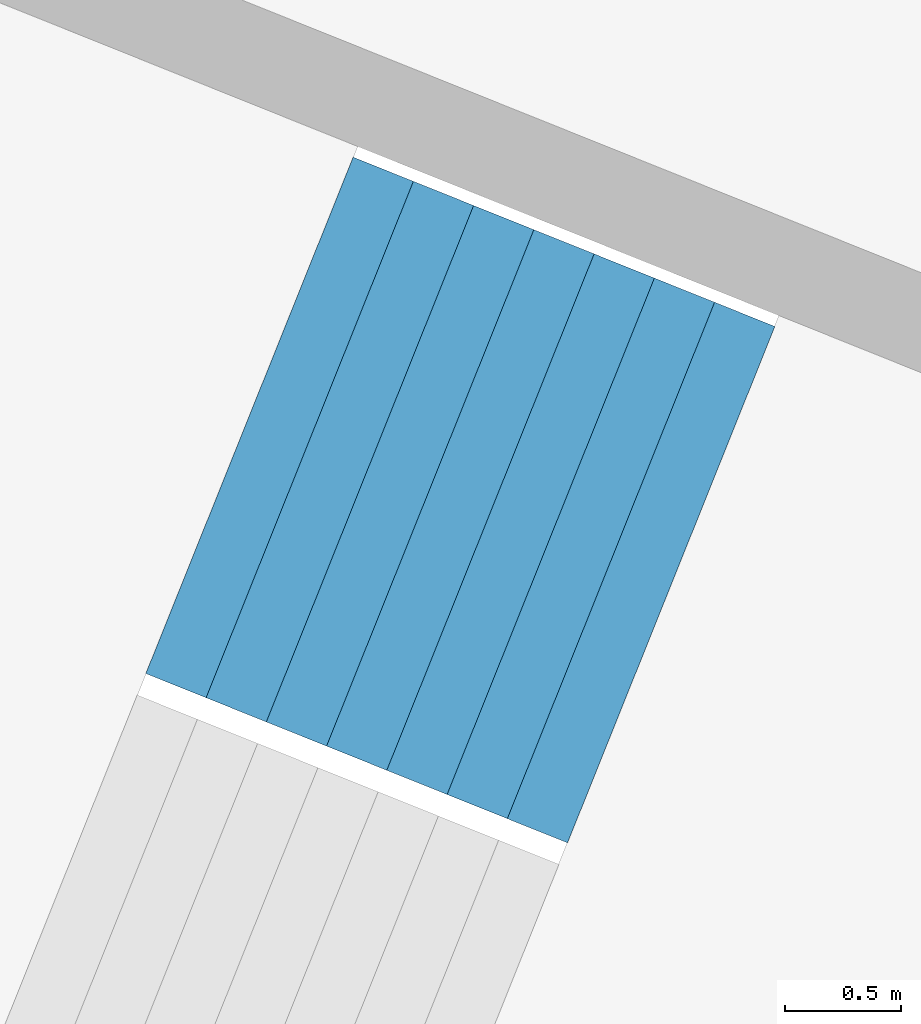
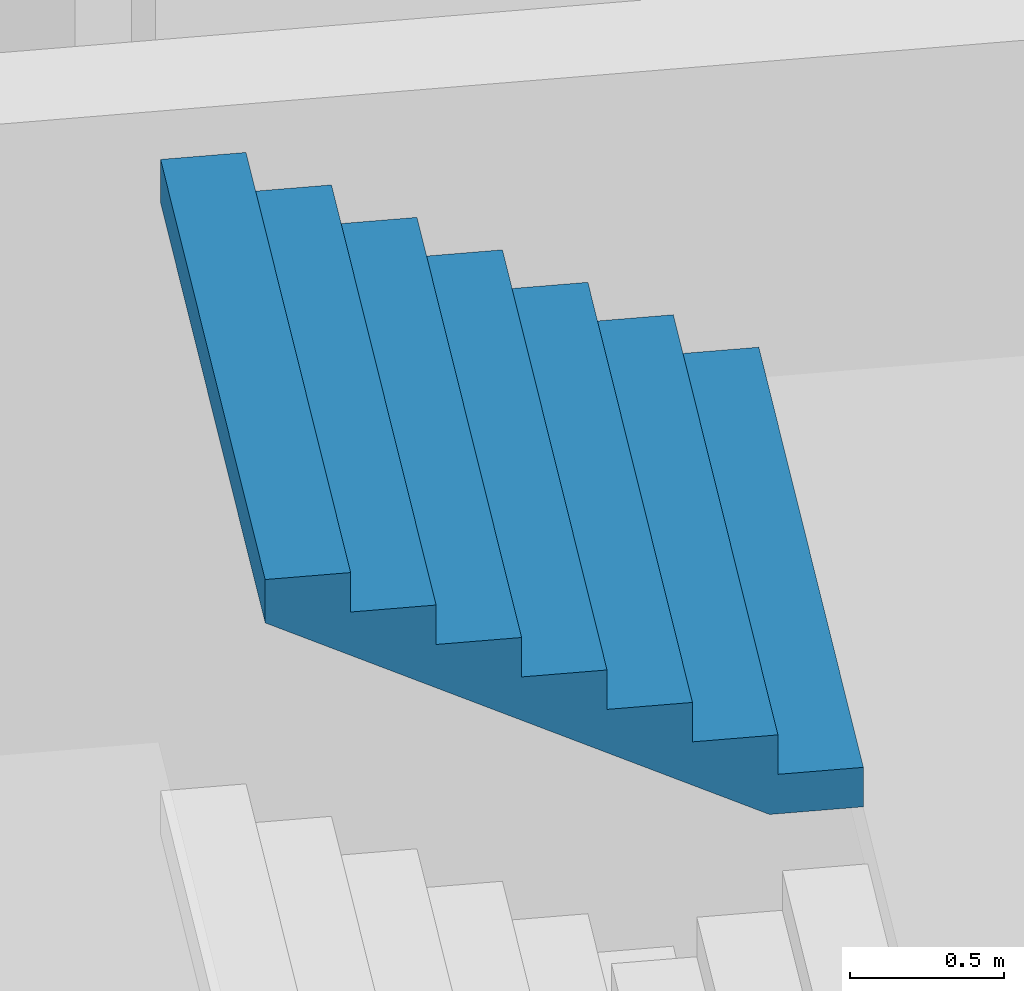
# One storey, part 52 of 73: 1 stair flight, 1 element without a shape of its own.
"""IFC4 building model written with IfcOpenShell, lengths in metres."""

from ifc_helpers import new_model, si_unit, direction, frame, origin, place, context, subcontext, project, spatial, triangles, material, type_object, element, aggregate, save


model = new_model("IFC4")

# Units and contexts
model_context = context("Model", 3, precision=1e-05, world=origin(), true_north=direction((0.0, 1.0)))
body_context = subcontext(model_context, "Body", "Model", "MODEL_VIEW")
ifc_project = project(units=[si_unit("LENGTHUNIT", "METRE"), si_unit("AREAUNIT", "SQUARE_METRE"), si_unit("VOLUMEUNIT", "CUBIC_METRE"), si_unit("PLANEANGLEUNIT", "RADIAN"), si_unit("MASSUNIT", "GRAM", prefix="KILO")], contexts=[model_context])

# Site, building, storey
site_placement = place(None, origin())
site = spatial("IfcSite", under=ifc_project, at=site_placement, CompositionType="ELEMENT")
building_placement = place(site_placement, origin())
building = spatial("IfcBuilding", under=site, at=building_placement, Name="Lantaw Convention Tower", CompositionType="ELEMENT")
storey_placement = place(building_placement, frame((0.0, 0.0, 27.0)))
storey = spatial("IfcBuildingStorey", under=building, at=storey_placement, Name="L04", CompositionType="ELEMENT", Elevation=27.0)

# Stair, stair flight
ifc_material = material(Name="Concrete C35/45", Category="concrete")
stair_type = type_object("IfcStairType", Name="Exit stair 2400 riser 156.25 in 4 flights", PredefinedType="HALF_TURN_STAIR", material=ifc_material)
stair_placement = place(storey_placement, origin())
stair = element("IfcStair", 1, at=stair_placement, inside=storey, type_object=stair_type, Name="Podium exit stair P12 L04", PredefinedType="HALF_TURN_STAIR")
stair_flight_type = type_object("IfcStairFlightType", Name="Stair flight 2400 riser 156.25", PredefinedType="STRAIGHT", material=ifc_material)
stair_flight_placement = place(storey_placement, frame((31.836669921875, -11.43359375, 3.75), z_axis=(0.0, 0.0, 1.0), x_axis=(-0.928015818512, 0.372540790506, 0.0)))
stair_flight = element("IfcStairFlight", 2, at=stair_flight_placement, type_object=stair_flight_type, Name="P12 flight 4", NumberOfRisers=8, NumberOfTreads=7, PredefinedType="STRAIGHT", RiserHeight=0.15625, TreadLength=0.28, context=body_context, shape_type="Tessellation", body=[
    triangles([(0.0, 1.199951171875, 0.0), (0.0, 1.199951171875, 0.15625), (0.28, 1.199951171875, 0.0), (0.28, 1.199951171875, 0.15625), (0.28, 1.199951171875, 0.3125), (0.3076200632058044, 1.199951171875, 0.0), (0.3076200632058044, 1.199951171875, 0.3125), (0.56, 1.199951171875, 0.14083701830033238), (0.56, 1.199951171875, 0.3125), (0.56, 1.199951171875, 0.46875), (0.8400000000000001, 1.199951171875, 0.29708701830033235), (0.8400000000000001, 1.199951171875, 0.46875), (0.8400000000000001, 1.199951171875, 0.625), (1.12, 1.199951171875, 0.45333701830033235), (1.12, 1.199951171875, 0.625), (1.12, 1.199951171875, 0.78125), (1.4000000000000001, 1.199951171875, 0.6095870183003324), (1.4000000000000001, 1.199951171875, 0.78125), (1.4000000000000001, 1.199951171875, 0.9375), (1.6800000000000002, 1.199951171875, 0.7658370183003324), (1.6800000000000002, 1.199951171875, 0.9375), (1.6800000000000002, 1.199951171875, 1.09375), (1.9600000000000002, 1.199951171875, 0.9220870183003324), (1.9600000000000002, 1.199951171875, 1.09375), (0.0, -1.199951171875, 0.0), (0.0, -1.199951171875, 0.15625), (0.28, -1.199951171875, 0.0), (0.28, -1.199951171875, 0.15625), (0.28, -1.199951171875, 0.3125), (0.3076200632058044, -1.199951171875, 0.0), (0.3076200632058044, -1.199951171875, 0.3125), (0.56, -1.199951171875, 0.14083701830033238), (0.56, -1.199951171875, 0.3125), (0.56, -1.199951171875, 0.46875), (0.8400000000000001, -1.199951171875, 0.29708701830033235), (0.8400000000000001, -1.199951171875, 0.46875), (0.8400000000000001, -1.199951171875, 0.625), (1.12, -1.199951171875, 0.45333701830033235), (1.12, -1.199951171875, 0.625), (1.12, -1.199951171875, 0.78125), (1.4000000000000001, -1.199951171875, 0.6095870183003324), (1.4000000000000001, -1.199951171875, 0.78125), (1.4000000000000001, -1.199951171875, 0.9375), (1.6800000000000002, -1.199951171875, 0.7658370183003324), (1.6800000000000002, -1.199951171875, 0.9375), (1.6800000000000002, -1.199951171875, 1.09375), (1.9600000000000002, -1.199951171875, 0.9220870183003324), (1.9600000000000002, -1.199951171875, 1.09375), (0.0, 0.239990234375, 0.15625), (0.0, 0.239990234375, 0.0), (0.0, 0.1919921875, 0.15625), (0.0, 0.1919921875, 0.0), (0.0, 0.143994140625, 0.15625), (0.0, 0.143994140625, 0.0), (0.0, 0.09599609375, 0.15625), (0.0, 0.09599609375, 0.0), (0.0, 0.047998046875, 0.15625), (0.0, 0.047998046875, 0.0), (0.0, 0.0, 0.15625), (0.0, 0.0, 0.0), (0.0, -0.047998046875, 0.15625), (0.0, -0.047998046875, 0.0), (0.0, -0.09599609375, 0.15625), (0.0, -0.09599609375, 0.0), (0.0, -0.143994140625, 0.15625), (0.0, -0.143994140625, 0.0), (0.0, -0.1919921875, 0.15625), (0.0, -0.1919921875, 0.0), (0.0, -0.239990234375, 0.15625), (0.0, -0.239990234375, 0.0), (0.28, 0.239990234375, 0.3125), (0.28, 0.239990234375, 0.15625), (0.28, 0.1919921875, 0.3125), (0.28, 0.1919921875, 0.15625), (0.28, 0.143994140625, 0.3125), (0.28, 0.143994140625, 0.15625), (0.28, 0.09599609375, 0.3125), (0.28, 0.09599609375, 0.15625), (0.28, 0.047998046875, 0.3125), (0.28, 0.047998046875, 0.15625), (0.28, 0.0, 0.3125), (0.28, 0.0, 0.15625), (0.28, -0.047998046875, 0.3125), (0.28, -0.047998046875, 0.15625), (0.28, -0.09599609375, 0.3125), (0.28, -0.09599609375, 0.15625), (0.28, -0.143994140625, 0.3125), (0.28, -0.143994140625, 0.15625), (0.28, -0.1919921875, 0.3125), (0.28, -0.1919921875, 0.15625), (0.28, -0.239990234375, 0.3125), (0.28, -0.239990234375, 0.15625), (0.56, 0.239990234375, 0.46875), (0.56, 0.239990234375, 0.3125), (0.56, 0.1919921875, 0.46875), (0.56, 0.1919921875, 0.3125), (0.56, 0.143994140625, 0.46875), (0.56, 0.143994140625, 0.3125), (0.56, 0.09599609375, 0.46875), (0.56, 0.09599609375, 0.3125), (0.56, 0.047998046875, 0.46875), (0.56, 0.047998046875, 0.3125), (0.56, 0.0, 0.46875), (0.56, 0.0, 0.3125), (0.56, -0.047998046875, 0.46875), (0.56, -0.047998046875, 0.3125), (0.56, -0.09599609375, 0.46875), (0.56, -0.09599609375, 0.3125), (0.56, -0.143994140625, 0.46875), (0.56, -0.143994140625, 0.3125), (0.56, -0.1919921875, 0.46875), (0.56, -0.1919921875, 0.3125), (0.56, -0.239990234375, 0.46875), (0.56, -0.239990234375, 0.3125), (0.8400000000000001, 0.239990234375, 0.625), (0.8400000000000001, 0.239990234375, 0.46875), (0.8400000000000001, 0.1919921875, 0.625), (0.8400000000000001, 0.1919921875, 0.46875), (0.8400000000000001, 0.143994140625, 0.625), (0.8400000000000001, 0.143994140625, 0.46875), (0.8400000000000001, 0.09599609375, 0.625), (0.8400000000000001, 0.09599609375, 0.46875), (0.8400000000000001, 0.047998046875, 0.625), (0.8400000000000001, 0.047998046875, 0.46875), (0.8400000000000001, 0.0, 0.625), (0.8400000000000001, 0.0, 0.46875), (0.8400000000000001, -0.047998046875, 0.625), (0.8400000000000001, -0.047998046875, 0.46875), (0.8400000000000001, -0.09599609375, 0.625), (0.8400000000000001, -0.09599609375, 0.46875), (0.8400000000000001, -0.143994140625, 0.625), (0.8400000000000001, -0.143994140625, 0.46875), (0.8400000000000001, -0.1919921875, 0.625), (0.8400000000000001, -0.1919921875, 0.46875), (0.8400000000000001, -0.239990234375, 0.625), (0.8400000000000001, -0.239990234375, 0.46875), (1.12, 0.239990234375, 0.78125), (1.12, 0.239990234375, 0.625), (1.12, 0.1919921875, 0.78125), (1.12, 0.1919921875, 0.625), (1.12, 0.143994140625, 0.78125), (1.12, 0.143994140625, 0.625), (1.12, 0.09599609375, 0.78125), (1.12, 0.09599609375, 0.625), (1.12, 0.047998046875, 0.78125), (1.12, 0.047998046875, 0.625), (1.12, 0.0, 0.78125), (1.12, 0.0, 0.625), (1.12, -0.047998046875, 0.78125), (1.12, -0.047998046875, 0.625), (1.12, -0.09599609375, 0.78125), (1.12, -0.09599609375, 0.625), (1.12, -0.143994140625, 0.78125), (1.12, -0.143994140625, 0.625), (1.12, -0.1919921875, 0.78125), (1.12, -0.1919921875, 0.625), (1.12, -0.239990234375, 0.78125), (1.12, -0.239990234375, 0.625), (1.4000000000000001, 0.239990234375, 0.9375), (1.4000000000000001, 0.239990234375, 0.78125), (1.4000000000000001, 0.1919921875, 0.9375), (1.4000000000000001, 0.1919921875, 0.78125), (1.4000000000000001, 0.143994140625, 0.9375), (1.4000000000000001, 0.143994140625, 0.78125), (1.4000000000000001, 0.09599609375, 0.9375), (1.4000000000000001, 0.09599609375, 0.78125), (1.4000000000000001, 0.047998046875, 0.9375), (1.4000000000000001, 0.047998046875, 0.78125), (1.4000000000000001, 0.0, 0.9375), (1.4000000000000001, 0.0, 0.78125), (1.4000000000000001, -0.047998046875, 0.9375), (1.4000000000000001, -0.047998046875, 0.78125), (1.4000000000000001, -0.09599609375, 0.9375), (1.4000000000000001, -0.09599609375, 0.78125), (1.4000000000000001, -0.143994140625, 0.9375), (1.4000000000000001, -0.143994140625, 0.78125), (1.4000000000000001, -0.1919921875, 0.9375), (1.4000000000000001, -0.1919921875, 0.78125), (1.4000000000000001, -0.239990234375, 0.9375), (1.4000000000000001, -0.239990234375, 0.78125), (1.6800000000000002, 0.239990234375, 1.09375), (1.6800000000000002, 0.239990234375, 0.9375), (1.6800000000000002, 0.1919921875, 1.09375), (1.6800000000000002, 0.1919921875, 0.9375), (1.6800000000000002, 0.143994140625, 1.09375), (1.6800000000000002, 0.143994140625, 0.9375), (1.6800000000000002, 0.09599609375, 1.09375), (1.6800000000000002, 0.09599609375, 0.9375), (1.6800000000000002, 0.047998046875, 1.09375), (1.6800000000000002, 0.047998046875, 0.9375), (1.6800000000000002, 0.0, 1.09375), (1.6800000000000002, 0.0, 0.9375), (1.6800000000000002, -0.047998046875, 1.09375), (1.6800000000000002, -0.047998046875, 0.9375), (1.6800000000000002, -0.09599609375, 1.09375), (1.6800000000000002, -0.09599609375, 0.9375), (1.6800000000000002, -0.143994140625, 1.09375), (1.6800000000000002, -0.143994140625, 0.9375), (1.6800000000000002, -0.1919921875, 1.09375), (1.6800000000000002, -0.1919921875, 0.9375), (1.6800000000000002, -0.239990234375, 1.09375), (1.6800000000000002, -0.239990234375, 0.9375), (0.3076200632058044, 0.239990234375, 0.3125), (0.3076200632058044, 0.1919921875, 0.3125), (0.3076200632058044, 0.143994140625, 0.3125), (0.3076200632058044, 0.09599609375, 0.3125), (0.3076200632058044, 0.047998046875, 0.3125), (0.3076200632058044, 0.0, 0.3125), (0.3076200632058044, -0.047998046875, 0.3125), (0.3076200632058044, -0.09599609375, 0.3125), (0.3076200632058044, -0.143994140625, 0.3125), (0.3076200632058044, -0.1919921875, 0.3125), (0.3076200632058044, -0.239990234375, 0.3125), (1.9600000000000002, 0.239990234375, 1.09375), (1.9600000000000002, 0.1919921875, 1.09375), (1.9600000000000002, 0.143994140625, 1.09375), (1.9600000000000002, 0.09599609375, 1.09375), (1.9600000000000002, 0.047998046875, 1.09375), (1.9600000000000002, 0.0, 1.09375), (1.9600000000000002, -0.047998046875, 1.09375), (1.9600000000000002, -0.09599609375, 1.09375), (1.9600000000000002, -0.143994140625, 1.09375), (1.9600000000000002, -0.1919921875, 1.09375), (1.9600000000000002, -0.239990234375, 1.09375), (1.9600000000000002, 0.239990234375, 0.9220870183003324), (1.9600000000000002, 0.1919921875, 0.9220870183003324), (1.9600000000000002, 0.143994140625, 0.9220870183003324), (1.9600000000000002, 0.09599609375, 0.9220870183003324), (1.9600000000000002, 0.047998046875, 0.9220870183003324), (1.9600000000000002, 0.0, 0.9220870183003324), (1.9600000000000002, -0.047998046875, 0.9220870183003324), (1.9600000000000002, -0.09599609375, 0.9220870183003324), (1.9600000000000002, -0.143994140625, 0.9220870183003324), (1.9600000000000002, -0.1919921875, 0.9220870183003324), (1.9600000000000002, -0.239990234375, 0.9220870183003324), (1.6800000000000002, 0.239990234375, 0.7658370183003324), (1.6800000000000002, 0.1919921875, 0.7658370183003324), (1.6800000000000002, 0.143994140625, 0.7658370183003324), (1.6800000000000002, 0.09599609375, 0.7658370183003324), (1.6800000000000002, 0.047998046875, 0.7658370183003324), (1.6800000000000002, 0.0, 0.7658370183003324), (1.6800000000000002, -0.047998046875, 0.7658370183003324), (1.6800000000000002, -0.09599609375, 0.7658370183003324), (1.6800000000000002, -0.143994140625, 0.7658370183003324), (1.6800000000000002, -0.1919921875, 0.7658370183003324), (1.6800000000000002, -0.239990234375, 0.7658370183003324), (1.4000000000000001, 0.239990234375, 0.6095870183003324), (1.4000000000000001, 0.1919921875, 0.6095870183003324), (1.4000000000000001, 0.143994140625, 0.6095870183003324), (1.4000000000000001, 0.09599609375, 0.6095870183003324), (1.4000000000000001, 0.047998046875, 0.6095870183003324), (1.4000000000000001, 0.0, 0.6095870183003324), (1.4000000000000001, -0.047998046875, 0.6095870183003324), (1.4000000000000001, -0.09599609375, 0.6095870183003324), (1.4000000000000001, -0.143994140625, 0.6095870183003324), (1.4000000000000001, -0.1919921875, 0.6095870183003324), (1.4000000000000001, -0.239990234375, 0.6095870183003324), (1.12, 0.239990234375, 0.45333701830033235), (1.12, 0.1919921875, 0.45333701830033235), (1.12, 0.143994140625, 0.45333701830033235), (1.12, 0.09599609375, 0.45333701830033235), (1.12, 0.047998046875, 0.45333701830033235), (1.12, 0.0, 0.45333701830033235), (1.12, -0.047998046875, 0.45333701830033235), (1.12, -0.09599609375, 0.45333701830033235), (1.12, -0.143994140625, 0.45333701830033235), (1.12, -0.1919921875, 0.45333701830033235), (1.12, -0.239990234375, 0.45333701830033235), (0.8400000000000001, 0.239990234375, 0.29708701830033235), (0.8400000000000001, 0.1919921875, 0.29708701830033235), (0.8400000000000001, 0.143994140625, 0.29708701830033235), (0.8400000000000001, 0.09599609375, 0.29708701830033235), (0.8400000000000001, 0.047998046875, 0.29708701830033235), (0.8400000000000001, 0.0, 0.29708701830033235), (0.8400000000000001, -0.047998046875, 0.29708701830033235), (0.8400000000000001, -0.09599609375, 0.29708701830033235), (0.8400000000000001, -0.143994140625, 0.29708701830033235), (0.8400000000000001, -0.1919921875, 0.29708701830033235), (0.8400000000000001, -0.239990234375, 0.29708701830033235), (0.56, 0.239990234375, 0.14083701830033238), (0.56, 0.1919921875, 0.14083701830033238), (0.56, 0.143994140625, 0.14083701830033238), (0.56, 0.09599609375, 0.14083701830033238), (0.56, 0.047998046875, 0.14083701830033238), (0.56, 0.0, 0.14083701830033238), (0.56, -0.047998046875, 0.14083701830033238), (0.56, -0.09599609375, 0.14083701830033238), (0.56, -0.143994140625, 0.14083701830033238), (0.56, -0.1919921875, 0.14083701830033238), (0.56, -0.239990234375, 0.14083701830033238), (0.3076200632058044, 0.239990234375, 0.0), (0.3076200632058044, 0.1919921875, 0.0), (0.3076200632058044, 0.143994140625, 0.0), (0.3076200632058044, 0.09599609375, 0.0), (0.3076200632058044, 0.047998046875, 0.0), (0.3076200632058044, 0.0, 0.0), (0.3076200632058044, -0.047998046875, 0.0), (0.3076200632058044, -0.09599609375, 0.0), (0.3076200632058044, -0.143994140625, 0.0), (0.3076200632058044, -0.1919921875, 0.0), (0.3076200632058044, -0.239990234375, 0.0), (0.28, 0.239990234375, 0.0), (0.28, 0.1919921875, 0.0), (0.28, 0.143994140625, 0.0), (0.28, 0.09599609375, 0.0), (0.28, 0.047998046875, 0.0), (0.28, 0.0, 0.0), (0.28, -0.047998046875, 0.0), (0.28, -0.09599609375, 0.0), (0.28, -0.143994140625, 0.0), (0.28, -0.1919921875, 0.0), (0.28, -0.239990234375, 0.0)], [[1, 4, 3], [1, 2, 4], [3, 4, 6], [4, 7, 6], [4, 5, 7], [6, 9, 8], [6, 7, 9], [8, 9, 11], [9, 12, 11], [9, 10, 12], [11, 12, 14], [12, 15, 14], [12, 13, 15], [14, 15, 17], [15, 18, 17], [15, 16, 18], [17, 18, 20], [18, 21, 20], [18, 19, 21], [20, 21, 23], [21, 24, 23], [21, 22, 24], [25, 27, 28], [25, 28, 26], [27, 30, 28], [28, 30, 31], [28, 31, 29], [30, 32, 33], [30, 33, 31], [32, 35, 33], [33, 35, 36], [33, 36, 34], [35, 38, 36], [36, 38, 39], [36, 39, 37], [38, 41, 39], [39, 41, 42], [39, 42, 40], [41, 44, 42], [42, 44, 45], [42, 45, 43], [44, 47, 45], [45, 47, 48], [45, 48, 46], [1, 49, 2], [1, 50, 49], [50, 51, 49], [50, 52, 51], [52, 53, 51], [52, 54, 53], [54, 55, 53], [54, 56, 55], [56, 57, 55], [56, 58, 57], [58, 59, 57], [58, 60, 59], [60, 61, 59], [60, 62, 61], [62, 63, 61], [62, 64, 63], [64, 65, 63], [64, 66, 65], [66, 67, 65], [66, 68, 67], [68, 69, 67], [68, 70, 69], [70, 26, 69], [70, 25, 26], [4, 71, 5], [4, 72, 71], [72, 73, 71], [72, 74, 73], [74, 75, 73], [74, 76, 75], [76, 77, 75], [76, 78, 77], [78, 79, 77], [78, 80, 79], [80, 81, 79], [80, 82, 81], [82, 83, 81], [82, 84, 83], [84, 85, 83], [84, 86, 85], [86, 87, 85], [86, 88, 87], [88, 89, 87], [88, 90, 89], [90, 91, 89], [90, 92, 91], [92, 29, 91], [92, 28, 29], [9, 93, 10], [9, 94, 93], [94, 95, 93], [94, 96, 95], [96, 97, 95], [96, 98, 97], [98, 99, 97], [98, 100, 99], [100, 101, 99], [100, 102, 101], [102, 103, 101], [102, 104, 103], [104, 105, 103], [104, 106, 105], [106, 107, 105], [106, 108, 107], [108, 109, 107], [108, 110, 109], [110, 111, 109], [110, 112, 111], [112, 113, 111], [112, 114, 113], [114, 34, 113], [114, 33, 34], [12, 115, 13], [12, 116, 115], [116, 117, 115], [116, 118, 117], [118, 119, 117], [118, 120, 119], [120, 121, 119], [120, 122, 121], [122, 123, 121], [122, 124, 123], [124, 125, 123], [124, 126, 125], [126, 127, 125], [126, 128, 127], [128, 129, 127], [128, 130, 129], [130, 131, 129], [130, 132, 131], [132, 133, 131], [132, 134, 133], [134, 135, 133], [134, 136, 135], [136, 37, 135], [136, 36, 37], [15, 137, 16], [15, 138, 137], [138, 139, 137], [138, 140, 139], [140, 141, 139], [140, 142, 141], [142, 143, 141], [142, 144, 143], [144, 145, 143], [144, 146, 145], [146, 147, 145], [146, 148, 147], [148, 149, 147], [148, 150, 149], [150, 151, 149], [150, 152, 151], [152, 153, 151], [152, 154, 153], [154, 155, 153], [154, 156, 155], [156, 157, 155], [156, 158, 157], [158, 40, 157], [158, 39, 40], [18, 159, 19], [18, 160, 159], [160, 161, 159], [160, 162, 161], [162, 163, 161], [162, 164, 163], [164, 165, 163], [164, 166, 165], [166, 167, 165], [166, 168, 167], [168, 169, 167], [168, 170, 169], [170, 171, 169], [170, 172, 171], [172, 173, 171], [172, 174, 173], [174, 175, 173], [174, 176, 175], [176, 177, 175], [176, 178, 177], [178, 179, 177], [178, 180, 179], [180, 43, 179], [180, 42, 43], [21, 181, 22], [21, 182, 181], [182, 183, 181], [182, 184, 183], [184, 185, 183], [184, 186, 185], [186, 187, 185], [186, 188, 187], [188, 189, 187], [188, 190, 189], [190, 191, 189], [190, 192, 191], [192, 193, 191], [192, 194, 193], [194, 195, 193], [194, 196, 195], [196, 197, 195], [196, 198, 197], [198, 199, 197], [198, 200, 199], [200, 201, 199], [200, 202, 201], [202, 46, 201], [202, 45, 46], [2, 72, 4], [2, 49, 72], [49, 74, 72], [49, 51, 74], [51, 76, 74], [51, 53, 76], [53, 78, 76], [53, 55, 78], [55, 80, 78], [55, 57, 80], [57, 82, 80], [57, 59, 82], [59, 84, 82], [59, 61, 84], [61, 86, 84], [61, 63, 86], [63, 88, 86], [63, 65, 88], [65, 90, 88], [65, 67, 90], [67, 92, 90], [67, 69, 92], [69, 28, 92], [69, 26, 28], [5, 203, 7], [5, 71, 203], [71, 204, 203], [71, 73, 204], [73, 205, 204], [73, 75, 205], [75, 206, 205], [75, 77, 206], [77, 207, 206], [77, 79, 207], [79, 208, 207], [79, 81, 208], [81, 209, 208], [81, 83, 209], [83, 210, 209], [83, 85, 210], [85, 211, 210], [85, 87, 211], [87, 212, 211], [87, 89, 212], [89, 213, 212], [89, 91, 213], [91, 31, 213], [91, 29, 31], [7, 94, 9], [7, 203, 94], [203, 96, 94], [203, 204, 96], [204, 98, 96], [204, 205, 98], [205, 100, 98], [205, 206, 100], [206, 102, 100], [206, 207, 102], [207, 104, 102], [207, 208, 104], [208, 106, 104], [208, 209, 106], [209, 108, 106], [209, 210, 108], [210, 110, 108], [210, 211, 110], [211, 112, 110], [211, 212, 112], [212, 114, 112], [212, 213, 114], [213, 33, 114], [213, 31, 33], [10, 116, 12], [10, 93, 116], [93, 118, 116], [93, 95, 118], [95, 120, 118], [95, 97, 120], [97, 122, 120], [97, 99, 122], [99, 124, 122], [99, 101, 124], [101, 126, 124], [101, 103, 126], [103, 128, 126], [103, 105, 128], [105, 130, 128], [105, 107, 130], [107, 132, 130], [107, 109, 132], [109, 134, 132], [109, 111, 134], [111, 136, 134], [111, 113, 136], [113, 36, 136], [113, 34, 36], [13, 138, 15], [13, 115, 138], [115, 140, 138], [115, 117, 140], [117, 142, 140], [117, 119, 142], [119, 144, 142], [119, 121, 144], [121, 146, 144], [121, 123, 146], [123, 148, 146], [123, 125, 148], [125, 150, 148], [125, 127, 150], [127, 152, 150], [127, 129, 152], [129, 154, 152], [129, 131, 154], [131, 156, 154], [131, 133, 156], [133, 158, 156], [133, 135, 158], [135, 39, 158], [135, 37, 39], [16, 160, 18], [16, 137, 160], [137, 162, 160], [137, 139, 162], [139, 164, 162], [139, 141, 164], [141, 166, 164], [141, 143, 166], [143, 168, 166], [143, 145, 168], [145, 170, 168], [145, 147, 170], [147, 172, 170], [147, 149, 172], [149, 174, 172], [149, 151, 174], [151, 176, 174], [151, 153, 176], [153, 178, 176], [153, 155, 178], [155, 180, 178], [155, 157, 180], [157, 42, 180], [157, 40, 42], [19, 182, 21], [19, 159, 182], [159, 184, 182], [159, 161, 184], [161, 186, 184], [161, 163, 186], [163, 188, 186], [163, 165, 188], [165, 190, 188], [165, 167, 190], [167, 192, 190], [167, 169, 192], [169, 194, 192], [169, 171, 194], [171, 196, 194], [171, 173, 196], [173, 198, 196], [173, 175, 198], [175, 200, 198], [175, 177, 200], [177, 202, 200], [177, 179, 202], [179, 45, 202], [179, 43, 45], [22, 214, 24], [22, 181, 214], [181, 215, 214], [181, 183, 215], [183, 216, 215], [183, 185, 216], [185, 217, 216], [185, 187, 217], [187, 218, 217], [187, 189, 218], [189, 219, 218], [189, 191, 219], [191, 220, 219], [191, 193, 220], [193, 221, 220], [193, 195, 221], [195, 222, 221], [195, 197, 222], [197, 223, 222], [197, 199, 223], [199, 224, 223], [199, 201, 224], [201, 48, 224], [201, 46, 48], [24, 225, 23], [24, 214, 225], [214, 226, 225], [214, 215, 226], [215, 227, 226], [215, 216, 227], [216, 228, 227], [216, 217, 228], [217, 229, 228], [217, 218, 229], [218, 230, 229], [218, 219, 230], [219, 231, 230], [219, 220, 231], [220, 232, 231], [220, 221, 232], [221, 233, 232], [221, 222, 233], [222, 234, 233], [222, 223, 234], [223, 235, 234], [223, 224, 235], [224, 47, 235], [224, 48, 47], [23, 236, 20], [23, 225, 236], [225, 237, 236], [225, 226, 237], [226, 238, 237], [226, 227, 238], [227, 239, 238], [227, 228, 239], [228, 240, 239], [228, 229, 240], [229, 241, 240], [229, 230, 241], [230, 242, 241], [230, 231, 242], [231, 243, 242], [231, 232, 243], [232, 244, 243], [232, 233, 244], [233, 245, 244], [233, 234, 245], [234, 246, 245], [234, 235, 246], [235, 44, 246], [235, 47, 44], [20, 247, 17], [20, 236, 247], [236, 248, 247], [236, 237, 248], [237, 249, 248], [237, 238, 249], [238, 250, 249], [238, 239, 250], [239, 251, 250], [239, 240, 251], [240, 252, 251], [240, 241, 252], [241, 253, 252], [241, 242, 253], [242, 254, 253], [242, 243, 254], [243, 255, 254], [243, 244, 255], [244, 256, 255], [244, 245, 256], [245, 257, 256], [245, 246, 257], [246, 41, 257], [246, 44, 41], [17, 258, 14], [17, 247, 258], [247, 259, 258], [247, 248, 259], [248, 260, 259], [248, 249, 260], [249, 261, 260], [249, 250, 261], [250, 262, 261], [250, 251, 262], [251, 263, 262], [251, 252, 263], [252, 264, 263], [252, 253, 264], [253, 265, 264], [253, 254, 265], [254, 266, 265], [254, 255, 266], [255, 267, 266], [255, 256, 267], [256, 268, 267], [256, 257, 268], [257, 38, 268], [257, 41, 38], [14, 269, 11], [14, 258, 269], [258, 270, 269], [258, 259, 270], [259, 271, 270], [259, 260, 271], [260, 272, 271], [260, 261, 272], [261, 273, 272], [261, 262, 273], [262, 274, 273], [262, 263, 274], [263, 275, 274], [263, 264, 275], [264, 276, 275], [264, 265, 276], [265, 277, 276], [265, 266, 277], [266, 278, 277], [266, 267, 278], [267, 279, 278], [267, 268, 279], [268, 35, 279], [268, 38, 35], [11, 280, 8], [11, 269, 280], [269, 281, 280], [269, 270, 281], [270, 282, 281], [270, 271, 282], [271, 283, 282], [271, 272, 283], [272, 284, 283], [272, 273, 284], [273, 285, 284], [273, 274, 285], [274, 286, 285], [274, 275, 286], [275, 287, 286], [275, 276, 287], [276, 288, 287], [276, 277, 288], [277, 289, 288], [277, 278, 289], [278, 290, 289], [278, 279, 290], [279, 32, 290], [279, 35, 32], [8, 291, 6], [8, 280, 291], [280, 292, 291], [280, 281, 292], [281, 293, 292], [281, 282, 293], [282, 294, 293], [282, 283, 294], [283, 295, 294], [283, 284, 295], [284, 296, 295], [284, 285, 296], [285, 297, 296], [285, 286, 297], [286, 298, 297], [286, 287, 298], [287, 299, 298], [287, 288, 299], [288, 300, 299], [288, 289, 300], [289, 301, 300], [289, 290, 301], [290, 30, 301], [290, 32, 30], [6, 302, 3], [6, 291, 302], [291, 303, 302], [291, 292, 303], [292, 304, 303], [292, 293, 304], [293, 305, 304], [293, 294, 305], [294, 306, 305], [294, 295, 306], [295, 307, 306], [295, 296, 307], [296, 308, 307], [296, 297, 308], [297, 309, 308], [297, 298, 309], [298, 310, 309], [298, 299, 310], [299, 311, 310], [299, 300, 311], [300, 312, 311], [300, 301, 312], [301, 27, 312], [301, 30, 27], [3, 50, 1], [3, 302, 50], [302, 52, 50], [302, 303, 52], [303, 54, 52], [303, 304, 54], [304, 56, 54], [304, 305, 56], [305, 58, 56], [305, 306, 58], [306, 60, 58], [306, 307, 60], [307, 62, 60], [307, 308, 62], [308, 64, 62], [308, 309, 64], [309, 66, 64], [309, 310, 66], [310, 68, 66], [310, 311, 68], [311, 70, 68], [311, 312, 70], [312, 25, 70], [312, 27, 25]], closed=True),
])
aggregate(stair, [stair_flight])

save(model, "model.ifc")
